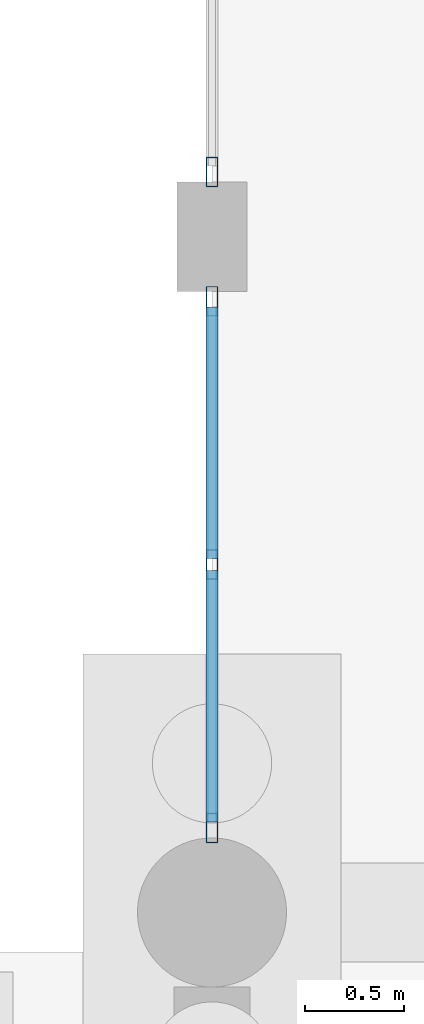
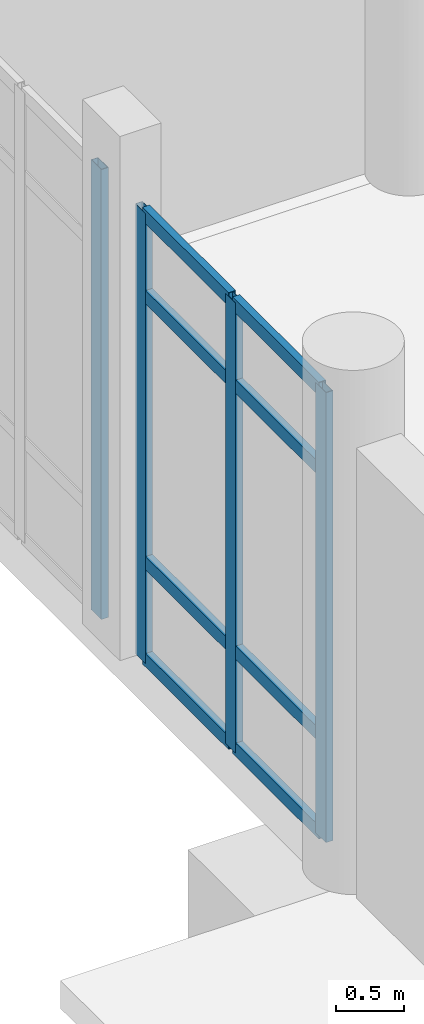
# One storey, part 63 of 173: 12 members, 2 elements without a shape of their own.
"""IFC4 building model written with IfcOpenShell, lengths in metres."""

from ifc_helpers import new_model, si_unit, direction, frame, origin, origin_2d, place, context, subcontext, project, spatial, hollow_rectangle, extrude, material, layer, layer_set, material_profile, profile_set, type_object, element, aggregate, save


model = new_model("IFC4")

# Units and contexts
model_context = context("Model", 3, precision=1e-05, world=origin(), true_north=direction((0.0, 1.0)))
body_context = subcontext(model_context, "Body", "Model", "MODEL_VIEW")
ifc_project = project(units=[si_unit("LENGTHUNIT", "METRE"), si_unit("AREAUNIT", "SQUARE_METRE"), si_unit("VOLUMEUNIT", "CUBIC_METRE"), si_unit("PLANEANGLEUNIT", "RADIAN"), si_unit("MASSUNIT", "GRAM", prefix="KILO")], contexts=[model_context])

# Site, building, storey
site_placement = place(None, origin())
site = spatial("IfcSite", under=ifc_project, at=site_placement, CompositionType="ELEMENT")
building_placement = place(site_placement, origin())
building = spatial("IfcBuilding", under=site, at=building_placement, Name="Mawjan Specialist Oncology Clinic", CompositionType="ELEMENT")
storey_placement = place(building_placement, origin())
storey = spatial("IfcBuildingStorey", under=building, at=storey_placement, Name="L00", CompositionType="ELEMENT", Elevation=0.0)

# Curtain wall, members
ifc_material_1 = material(Name="Unitised spectrally selective aluminium curtain wall", Category="aluminium")
ifc_layer_1 = layer(ifc_material_1, 0.179931640625, Name="Unitised spectrally selective aluminium curtain wall", Category="aluminium")
ifc_layer_set_1 = layer_set([ifc_layer_1], Name="Unitised spectrally selective aluminium curtain wall")
curtain_wall_type_1 = type_object("IfcCurtainWallType", Name="CW-24", PredefinedType="NOTDEFINED", material=ifc_layer_set_1)
curtain_wall_1_placement = place(storey_placement, origin())
curtain_wall_1 = element("IfcCurtainWall", 1, at=curtain_wall_1_placement, inside=storey, type_object=curtain_wall_type_1, Name="L00 Unitised Curtain Wall CW-L00-042", PredefinedType="NOTDEFINED")
ifc_material_2 = material(Name="Thermally broken aluminium 6063-T6", Category="aluminium")
ifc_material_profile_1 = material_profile(ifc_material_2, hollow_rectangle(XDim=0.06005859375, YDim=0.14990234375, WallThickness=0.00390625, at=origin_2d()), Name="ALU MULLION 150x60x4", Category="aluminium")
ifc_profile_set_1 = profile_set([ifc_material_profile_1], Name="Thermally broken aluminium 6063-T6")
member_type_1 = type_object("IfcMemberType", Name="CW-M150", PredefinedType="MULLION", material=ifc_profile_set_1)
member_1_placement = place(storey_placement, frame((60.0, 68.72509765625, 0.0), z_axis=(0.0, 0.0, 1.0), x_axis=(-1.0, 0.0, 0.0)))
member_1 = element("IfcMember", 2, at=member_1_placement, type_object=member_type_1, Name="CW-24 mullion 1", PredefinedType="MULLION", context=body_context, shape_type="SweptSolid", body=[
    extrude(hollow_rectangle(XDim=0.06005859375, YDim=0.14990234375, WallThickness=0.00390625, at=origin_2d()), origin(), (0.0, 0.0, 1.0), 4.034912109375),
])
member_2_placement = place(storey_placement, frame((60.0, 70.050048828125, 0.0), z_axis=(0.0, 0.0, 1.0), x_axis=(-1.0, 0.0, 0.0)))
member_2 = element("IfcMember", 3, at=member_2_placement, type_object=member_type_1, Name="CW-24 mullion 2", PredefinedType="MULLION", context=body_context, shape_type="SweptSolid", body=[
    extrude(hollow_rectangle(XDim=0.06005859375, YDim=0.14990234375, WallThickness=0.00390625, at=origin_2d()), origin(), (0.0, 0.0, 1.0), 4.034912109375),
])
member_3_placement = place(storey_placement, frame((60.0, 71.375, 0.0), z_axis=(0.0, 0.0, 1.0), x_axis=(-1.0, 0.0, 0.0)))
member_3 = element("IfcMember", 4, at=member_3_placement, type_object=member_type_1, Name="CW-24 mullion 3", PredefinedType="MULLION", context=body_context, shape_type="SweptSolid", body=[
    extrude(hollow_rectangle(XDim=0.06005859375, YDim=0.14990234375, WallThickness=0.00390625, at=origin_2d()), origin(), (0.0, 0.0, 1.0), 4.034912109375),
])

# Curtain wall, member
ifc_material_3 = material(Name="Unitised spectrally selective aluminium curtain wall", Category="aluminium")
ifc_layer_2 = layer(ifc_material_3, 0.179931640625, Name="Unitised spectrally selective aluminium curtain wall", Category="aluminium")
ifc_layer_set_2 = layer_set([ifc_layer_2], Name="Unitised spectrally selective aluminium curtain wall")
curtain_wall_type_2 = type_object("IfcCurtainWallType", Name="CW-25", PredefinedType="NOTDEFINED", material=ifc_layer_set_2)
curtain_wall_2_placement = place(storey_placement, origin())
curtain_wall_2 = element("IfcCurtainWall", 5, at=curtain_wall_2_placement, inside=storey, type_object=curtain_wall_type_2, Name="L00 Unitised Curtain Wall CW-L00-043", PredefinedType="NOTDEFINED")
member_4_placement = place(storey_placement, frame((60.0, 72.02490234375, 0.0), z_axis=(0.0, 0.0, 1.0), x_axis=(-1.0, 0.0, 0.0)))
member_4 = element("IfcMember", 6, at=member_4_placement, type_object=member_type_1, Name="CW-25 mullion 1", PredefinedType="MULLION", context=body_context, shape_type="SweptSolid", body=[
    extrude(hollow_rectangle(XDim=0.06005859375, YDim=0.14990234375, WallThickness=0.00390625, at=origin_2d()), origin(), (0.0, 0.0, 1.0), 4.034912109375),
])
aggregate(curtain_wall_2, [member_4])

# Member
ifc_material_4 = material(Name="Thermally broken aluminium 6063-T6", Category="aluminium")
ifc_material_profile_2 = material_profile(ifc_material_4, hollow_rectangle(XDim=0.06005859375, YDim=0.1201171875, WallThickness=0.00390625, at=origin_2d()), Name="ALU TRANSOM 120x60x4", Category="aluminium")
ifc_profile_set_2 = profile_set([ifc_material_profile_2], Name="Thermally broken aluminium 6063-T6")
member_type_2 = type_object("IfcMemberType", Name="CW-T120", PredefinedType="USERDEFINED", material=ifc_profile_set_2)
member_5_placement = place(storey_placement, frame((60.0, 68.7548828125, 0.030029296875), z_axis=(0.0, 1.0, 0.0), x_axis=(-1.0, 0.0, 0.0)))
member_5 = element("IfcMember", 7, at=member_5_placement, type_object=member_type_2, Name="CW-24 transom 1.1", ObjectType="TRANSOM", PredefinedType="USERDEFINED", context=body_context, shape_type="SweptSolid", body=[
    extrude(hollow_rectangle(XDim=0.06005859375, YDim=0.1201171875, WallThickness=0.00390625, at=origin_2d()), origin(), (0.0, 0.0, 1.0), 1.26513671875),
])

member_6_placement = place(storey_placement, frame((60.0, 68.7548828125, 0.89990234375), z_axis=(0.0, 1.0, 0.0), x_axis=(-1.0, 0.0, 0.0)))
member_6 = element("IfcMember", 8, at=member_6_placement, type_object=member_type_2, Name="CW-24 transom 1.2", ObjectType="TRANSOM", PredefinedType="USERDEFINED", context=body_context, shape_type="SweptSolid", body=[
    extrude(hollow_rectangle(XDim=0.06005859375, YDim=0.1201171875, WallThickness=0.00390625, at=origin_2d()), origin(), (0.0, 0.0, 1.0), 1.26513671875),
])

member_7_placement = place(storey_placement, frame((60.0, 68.7548828125, 3.284912109375), z_axis=(0.0, 1.0, 0.0), x_axis=(-1.0, 0.0, 0.0)))
member_7 = element("IfcMember", 9, at=member_7_placement, type_object=member_type_2, Name="CW-24 transom 1.3", ObjectType="TRANSOM", PredefinedType="USERDEFINED", context=body_context, shape_type="SweptSolid", body=[
    extrude(hollow_rectangle(XDim=0.06005859375, YDim=0.1201171875, WallThickness=0.00390625, at=origin_2d()), origin(), (0.0, 0.0, 1.0), 1.26513671875),
])

member_8_placement = place(storey_placement, frame((60.0, 68.7548828125, 4.0048828125), z_axis=(0.0, 1.0, 0.0), x_axis=(-1.0, 0.0, 0.0)))
member_8 = element("IfcMember", 10, at=member_8_placement, type_object=member_type_2, Name="CW-24 transom 1.4", ObjectType="TRANSOM", PredefinedType="USERDEFINED", context=body_context, shape_type="SweptSolid", body=[
    extrude(hollow_rectangle(XDim=0.06005859375, YDim=0.1201171875, WallThickness=0.00390625, at=origin_2d()), origin(), (0.0, 0.0, 1.0), 1.26513671875),
])

member_9_placement = place(storey_placement, frame((60.0, 70.080078125, 0.030029296875), z_axis=(0.0, 1.0, 0.0), x_axis=(-1.0, 0.0, 0.0)))
member_9 = element("IfcMember", 11, at=member_9_placement, type_object=member_type_2, Name="CW-24 transom 2.1", ObjectType="TRANSOM", PredefinedType="USERDEFINED", context=body_context, shape_type="SweptSolid", body=[
    extrude(hollow_rectangle(XDim=0.06005859375, YDim=0.1201171875, WallThickness=0.00390625, at=origin_2d()), origin(), (0.0, 0.0, 1.0), 1.264892578125),
])

member_10_placement = place(storey_placement, frame((60.0, 70.080078125, 0.89990234375), z_axis=(0.0, 1.0, 0.0), x_axis=(-1.0, 0.0, 0.0)))
member_10 = element("IfcMember", 12, at=member_10_placement, type_object=member_type_2, Name="CW-24 transom 2.2", ObjectType="TRANSOM", PredefinedType="USERDEFINED", context=body_context, shape_type="SweptSolid", body=[
    extrude(hollow_rectangle(XDim=0.06005859375, YDim=0.1201171875, WallThickness=0.00390625, at=origin_2d()), origin(), (0.0, 0.0, 1.0), 1.264892578125),
])

member_11_placement = place(storey_placement, frame((60.0, 70.080078125, 3.284912109375), z_axis=(0.0, 1.0, 0.0), x_axis=(-1.0, 0.0, 0.0)))
member_11 = element("IfcMember", 13, at=member_11_placement, type_object=member_type_2, Name="CW-24 transom 2.3", ObjectType="TRANSOM", PredefinedType="USERDEFINED", context=body_context, shape_type="SweptSolid", body=[
    extrude(hollow_rectangle(XDim=0.06005859375, YDim=0.1201171875, WallThickness=0.00390625, at=origin_2d()), origin(), (0.0, 0.0, 1.0), 1.264892578125),
])

member_12_placement = place(storey_placement, frame((60.0, 70.080078125, 4.0048828125), z_axis=(0.0, 1.0, 0.0), x_axis=(-1.0, 0.0, 0.0)))
member_12 = element("IfcMember", 14, at=member_12_placement, type_object=member_type_2, Name="CW-24 transom 2.4", ObjectType="TRANSOM", PredefinedType="USERDEFINED", context=body_context, shape_type="SweptSolid", body=[
    extrude(hollow_rectangle(XDim=0.06005859375, YDim=0.1201171875, WallThickness=0.00390625, at=origin_2d()), origin(), (0.0, 0.0, 1.0), 1.264892578125),
])

aggregate(curtain_wall_1, [member_1, member_2, member_3, member_5, member_6, member_7, member_8, member_9, member_10, member_11, member_12])

save(model, "model.ifc")
